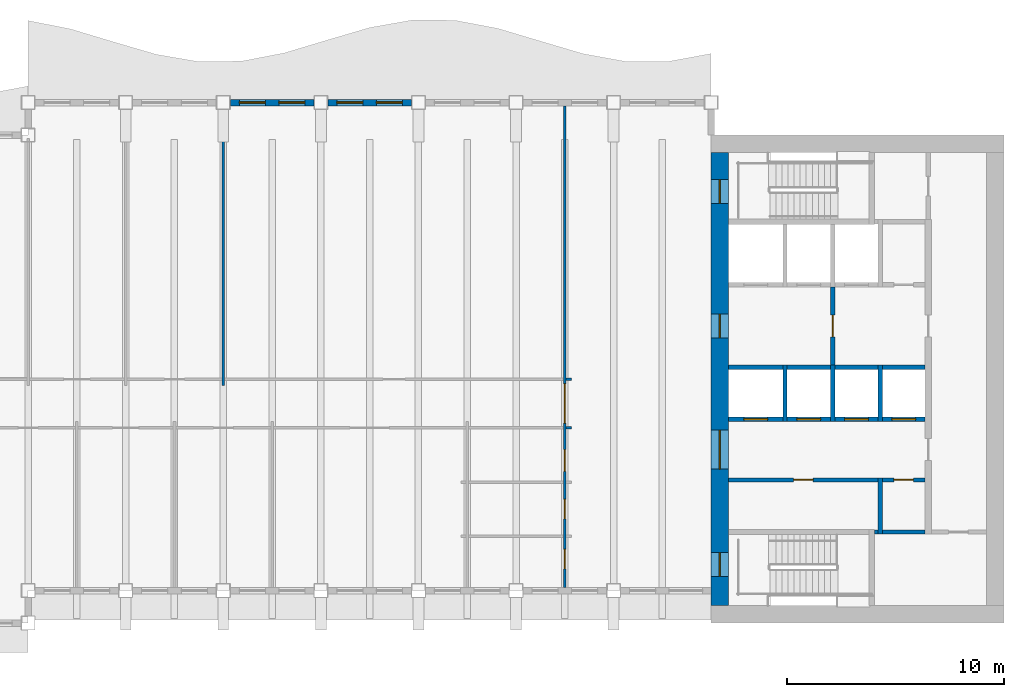
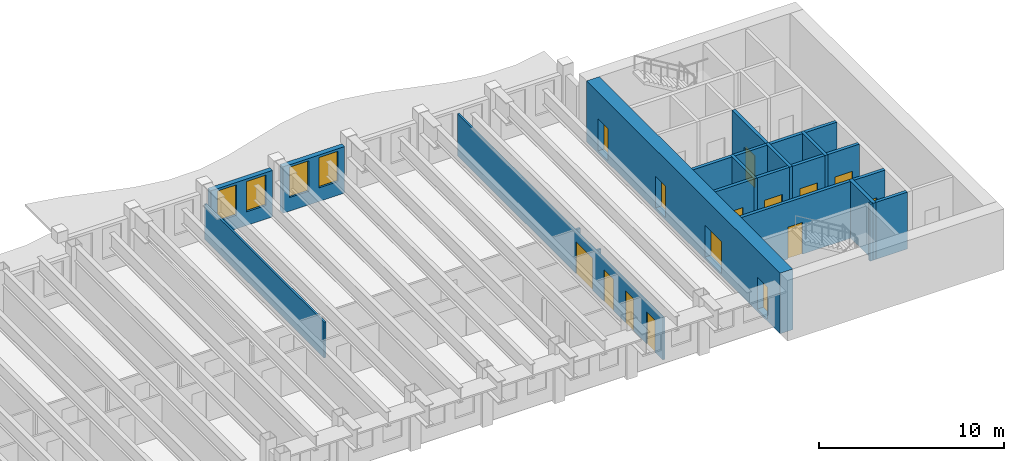
# One storey, part 5 of 12: 24 walls, 15 doors, 4 windows, 19 openings.
"""IFC4 building model written with IfcOpenShell, lengths in metres."""

import ifcopenshell
import ifcopenshell.guid

model = None  # the IFC model being written
_history = None  # IfcOwnerHistory: only IFC2X3 demands one
_inside = {}  # id of a spatial element -> (the spatial element, [elements in it])
_under = {}  # id of a project, library or spatial element -> (it, [spatial elements below it])
_declared = {}  # id of a project -> (the project, [libraries it declares])
_typed = {}  # id of a type object -> (the type object, [elements of that type])
_made_of = {}  # id of a material, layer set ... -> (it, [elements and type objects made of it])


def new_model(schema):
    """Start an empty IFC model of exactly this schema.

    Asked for "IFC4X3", IfcOpenShell would pick the latest addendum, in which some entities
    have other attributes; the version numbers below select the first issue.
    IFC2X3 requires an IfcOwnerHistory on every rooted entity: one is made here for all.
    """
    global model, _history
    if schema == "IFC4X3":
        model = ifcopenshell.file(schema_version=(4, 3, 0, 0))
    else:
        model = ifcopenshell.file(schema=schema)
    _inside.clear()
    _under.clear()
    _declared.clear()
    _typed.clear()
    _made_of.clear()
    _history = None
    if model.schema == "IFC2X3":
        org = make("IfcOrganization", Name="unknown")
        user = make(
            "IfcPersonAndOrganization",
            ThePerson=make("IfcPerson", FamilyName="unknown"),
            TheOrganization=org,
        )
        app = make(
            "IfcApplication",
            ApplicationDeveloper=org,
            Version="unknown",
            ApplicationFullName="unknown",
            ApplicationIdentifier="unknown",
        )
        _history = make(
            "IfcOwnerHistory",
            OwningUser=user,
            OwningApplication=app,
            ChangeAction="ADDED",
            CreationDate=0,
        )
    return model


def make(cls, **values):
    """One entity of the class cls with the attributes given. An attribute that is None is left unset."""
    return model.create_entity(
        cls, **{name: value for name, value in values.items() if value is not None}
    )


def rooted(cls, **values):
    """An entity with a GlobalId (a new one), such as an element, a storey or a relation."""
    return make(cls, GlobalId=ifcopenshell.guid.new(), OwnerHistory=_history, **values)


def si_unit(unit_type, name, prefix=None):
    """IfcSIUnit, for example si_unit("LENGTHUNIT", "METRE", prefix="MILLI")."""
    return make("IfcSIUnit", UnitType=unit_type, Prefix=prefix, Name=name)


def assignment(units):
    """IfcUnitAssignment: the units of a project."""
    return None if units is None else make("IfcUnitAssignment", Units=units)


def point(xyz):
    """IfcCartesianPoint."""
    return None if xyz is None else make("IfcCartesianPoint", Coordinates=xyz)


def direction(xyz):
    """IfcDirection."""
    return None if xyz is None else make("IfcDirection", DirectionRatios=xyz)


def frame(location, z_axis=None, x_axis=None):
    """IfcAxis2Placement3D, a coordinate frame: its origin and axes. An axis left out is left unset."""
    return make(
        "IfcAxis2Placement3D",
        Location=point(location),
        Axis=direction(z_axis),
        RefDirection=direction(x_axis),
    )


def frame_2d(location, x_axis=None):
    """IfcAxis2Placement2D, a coordinate frame in the plane: its origin and x axis."""
    return make(
        "IfcAxis2Placement2D", Location=point(location), RefDirection=direction(x_axis)
    )


def origin():
    """The frame at (0, 0, 0) with its axes left unset."""
    return frame((0.0, 0.0, 0.0))


def place(relative_to, where):
    """IfcLocalPlacement: puts the frame where relative to a parent placement (None: the world)."""
    return make(
        "IfcLocalPlacement", PlacementRelTo=relative_to, RelativePlacement=where
    )


def context(
    kind, dimensions, precision=None, world=None, true_north=None, identifier=None
):
    """IfcGeometricRepresentationContext, for example the 3D "Model" context."""
    return make(
        "IfcGeometricRepresentationContext",
        ContextIdentifier=identifier,
        ContextType=kind,
        CoordinateSpaceDimension=dimensions,
        Precision=precision,
        WorldCoordinateSystem=world,
        TrueNorth=true_north,
    )


def subcontext(parent, identifier, kind, view, scale=None):
    """IfcGeometricRepresentationSubContext, for example "Body" below "Model"."""
    return make(
        "IfcGeometricRepresentationSubContext",
        ContextIdentifier=identifier,
        ContextType=kind,
        ParentContext=parent,
        TargetScale=scale,
        TargetView=view,
    )


def project(units=None, contexts=None):
    """IfcProject with its units and contexts."""
    return rooted(
        "IfcProject",
        Name="project",
        RepresentationContexts=contexts,
        UnitsInContext=assignment(units),
    )


def spatial(cls, under=None, at=None, **own):
    """A site, building, storey or space (cls), placed at a placement, below another one or the project."""
    s = rooted(cls, ObjectPlacement=at, **own)
    if under is not None:
        _under.setdefault(under.id(), (under, []))[1].append(s)
    return s


def profile(cls, at=None, kind="AREA", **sizes):
    """A parametric profile (cls). Its sizes go by their IFC names, for example OverallWidth=200.0."""
    return make(cls, ProfileType=kind, Position=at, **sizes)


def rectangle(**sizes):
    """IfcRectangleProfileDef."""
    return profile("IfcRectangleProfileDef", **sizes)


def extrude(swept, where, along, depth):
    """IfcExtrudedAreaSolid: the profile swept, set in the frame where, extruded along a direction by depth."""
    return make(
        "IfcExtrudedAreaSolid",
        SweptArea=swept,
        Position=where,
        ExtrudedDirection=direction(along),
        Depth=depth,
    )


def shape(context_of_items, identifier, shape_type, items):
    """IfcShapeRepresentation: the items that make up one representation, for example the "Body"."""
    return make(
        "IfcShapeRepresentation",
        ContextOfItems=context_of_items,
        RepresentationIdentifier=identifier,
        RepresentationType=shape_type,
        Items=items,
    )


def material(Name=None, Category=None):
    """IfcMaterial."""
    return make("IfcMaterial", Name=Name, Category=Category)


def layer(
    of_material, thickness, ventilated=None, Name=None, Category=None, Priority=None
):
    """IfcMaterialLayer: one layer of a wall or slab, of a material (None: an air gap)."""
    return make(
        "IfcMaterialLayer",
        Material=of_material,
        LayerThickness=thickness,
        IsVentilated=ventilated,
        Name=Name,
        Category=Category,
        Priority=Priority,
    )


def layer_set(layers, Name=None):
    """IfcMaterialLayerSet."""
    return make("IfcMaterialLayerSet", MaterialLayers=layers, LayerSetName=Name)


def made_of(thing, what):
    """Note that an element or type object is made of a material, layer set ...; save() writes the relation."""
    if what is not None:
        _made_of.setdefault(what.id(), (what, []))[1].append(thing)
    return thing


def type_object(cls, material=None, **own):
    """A type object (cls), such as IfcWallType, which elements share."""
    return made_of(rooted(cls, **own), material)


def element(
    cls,
    number,
    at=None,
    inside=None,
    cuts=None,
    type_object=None,
    material=None,
    context=None,
    identifier="Body",
    shape_type=None,
    held_by="IfcProductDefinitionShape",
    body=None,
    shapes=None,
    **own,
):
    """One element of the class cls, such as IfcWall. Its Tag is "e" and its number.

    at: its placement. inside: the storey or other place that contains it. cuts: it is an
    opening in that element (IfcRelVoidsElement). A single representation is given by context,
    identifier, shape_type and body (its items); several are given by shapes. held_by: the class
    of the entity that holds the representations. save() writes the other relations.
    """
    e = rooted(cls, Tag="e%d" % number, ObjectPlacement=at, **own)
    if body is not None:
        shapes = [shape(context, identifier, shape_type, body)]
    if shapes is not None:
        e.Representation = make(held_by, Representations=shapes)
    if inside is not None:
        _inside.setdefault(inside.id(), (inside, []))[1].append(e)
    if cuts is not None:
        rooted(
            "IfcRelVoidsElement", RelatingBuildingElement=cuts, RelatedOpeningElement=e
        )
    if type_object is not None:
        _typed.setdefault(type_object.id(), (type_object, []))[1].append(e)
    return made_of(e, material)


def fill(opening, filler):
    """IfcRelFillsElement: the door or window that sits in an opening."""
    return rooted(
        "IfcRelFillsElement",
        RelatingOpeningElement=opening,
        RelatedBuildingElement=filler,
    )


def aggregate(whole, parts):
    """IfcRelAggregates: a whole, such as a stair, and the parts it consists of."""
    return rooted("IfcRelAggregates", RelatingObject=whole, RelatedObjects=parts)


def save(model, path):
    """Write the relations noted so far, then the file.

    IfcRelAggregates (storeys below a building ...), IfcRelContainedInSpatialStructure (elements
    in a storey), IfcRelDefinesByType, IfcRelAssociatesMaterial and IfcRelDeclares: one each for
    every whole, place, type object, material and project.
    """
    for whole, parts in _under.values():
        aggregate(whole, parts)
    for where, things in _inside.values():
        rooted(
            "IfcRelContainedInSpatialStructure",
            RelatedElements=things,
            RelatingStructure=where,
        )
    for kind, things in _typed.values():
        rooted("IfcRelDefinesByType", RelatedObjects=things, RelatingType=kind)
    for what, things in _made_of.values():
        rooted("IfcRelAssociatesMaterial", RelatedObjects=things, RelatingMaterial=what)
    for by, libraries in _declared.values():
        rooted("IfcRelDeclares", RelatingContext=by, RelatedDefinitions=libraries)
    model.write(path)


model = new_model("IFC4")

# Units and contexts
model_context = context("Model", 3, precision=1e-05, world=origin(), true_north=direction((0.0, 1.0)))
body_context = subcontext(model_context, "Body", "Model", "MODEL_VIEW")
ifc_project = project(units=[si_unit("LENGTHUNIT", "METRE"), si_unit("AREAUNIT", "SQUARE_METRE"), si_unit("VOLUMEUNIT", "CUBIC_METRE"), si_unit("PLANEANGLEUNIT", "RADIAN"), si_unit("MASSUNIT", "GRAM", prefix="KILO")], contexts=[model_context])

# Site, building, storey
site_placement = place(None, origin())
site = spatial("IfcSite", under=ifc_project, at=site_placement, CompositionType="ELEMENT")
building_placement = place(site_placement, origin())
building = spatial("IfcBuilding", under=site, at=building_placement, Name="Sennacour Bend Tower", CompositionType="ELEMENT")
storey_placement = place(building_placement, frame((0.0, 0.0, 293.0)))
storey = spatial("IfcBuildingStorey", under=building, at=storey_placement, Name="L68", CompositionType="ELEMENT", Elevation=293.0)

# Wall, openings, doors
ifc_material_1 = material(Name="Concrete C50/60", Category="concrete")
ifc_layer_1 = layer(ifc_material_1, 0.800048828125, Name="Concrete C50/60", Category="concrete")
ifc_layer_set_1 = layer_set([ifc_layer_1], Name="Concrete C50/60")
wall_type_1 = type_object("IfcWallType", Name="Core wall 800 C50/60", PredefinedType="SHEAR", material=ifc_layer_set_1)
wall_1_placement = place(storey_placement, frame((54.39990234375, 0.800048828125, -0.14990234375), z_axis=(0.0, 0.0, 1.0), x_axis=(0.0, 1.0, 0.0)))
wall_1 = element("IfcWall", 1, at=wall_1_placement, inside=storey, type_object=wall_type_1, Name="Core A wall L68 W", PredefinedType="SHEAR", context=body_context, shape_type="SweptSolid", body=[
    extrude(rectangle(XDim=20.89990234375, YDim=0.800048828125, at=frame_2d((10.449951171875, 0.0))), origin(), (0.0, 0.0, 1.0), 4.0),
])
opening_1_placement = place(wall_1_placement, frame((6.300048828125, 0.0, 0.14990234375)))
opening_1 = element("IfcOpeningElement", 2, at=opening_1_placement, cuts=wall_1, Name="Opening CD", PredefinedType="OPENING", context=body_context, shape_type="SweptSolid", body=[
    extrude(rectangle(XDim=1.800048828125, YDim=2.10009765625, at=frame_2d((0.89990234375, 1.050048828125))), frame((0.0, 0.41015625, 0.0), z_axis=(0.0, -1.0, 0.0), x_axis=(1.0, 0.0, 0.0)), (0.0, 0.0, 1.0), 0.820068359375),
])
opening_2_placement = place(wall_1_placement, frame((12.35009765625, 0.0, 0.14990234375)))
opening_2 = element("IfcOpeningElement", 3, at=opening_2_placement, cuts=wall_1, Name="Opening FD", PredefinedType="OPENING", context=body_context, shape_type="SweptSolid", body=[
    extrude(rectangle(XDim=1.10009765625, YDim=2.10009765625, at=frame_2d((0.550048828125, 1.050048828125))), frame((0.0, 0.41015625, 0.0), z_axis=(0.0, -1.0, 0.0), x_axis=(1.0, 0.0, 0.0)), (0.0, 0.0, 1.0), 0.820068359375),
])
opening_3_placement = place(wall_1_placement, frame((1.35009765625, 0.0, 0.14990234375)))
opening_3 = element("IfcOpeningElement", 4, at=opening_3_placement, cuts=wall_1, Name="Opening SD", PredefinedType="OPENING", context=body_context, shape_type="SweptSolid", body=[
    extrude(rectangle(XDim=1.10009765625, YDim=2.10009765625, at=frame_2d((0.550048828125, 1.050048828125))), frame((0.0, 0.41015625, 0.0), z_axis=(0.0, -1.0, 0.0), x_axis=(1.0, 0.0, 0.0)), (0.0, 0.0, 1.0), 0.820068359375),
])
opening_4_placement = place(wall_1_placement, frame((18.550048828125, 0.0, 0.14990234375)))
opening_4 = element("IfcOpeningElement", 5, at=opening_4_placement, cuts=wall_1, Name="Opening SD", PredefinedType="OPENING", context=body_context, shape_type="SweptSolid", body=[
    extrude(rectangle(XDim=1.10009765625, YDim=2.10009765625, at=frame_2d((0.550048828125, 1.050048828125))), frame((0.0, 0.41015625, 0.0), z_axis=(0.0, -1.0, 0.0), x_axis=(1.0, 0.0, 0.0)), (0.0, 0.0, 1.0), 0.820068359375),
])
ifc_material_2 = material(Name="Painted steel", Category="steel")
door_type_1 = type_object("IfcDoorType", Name="DR-FFL-1100", OperationType="NOTDEFINED", PredefinedType="DOOR", material=ifc_material_2)
door_1_placement = place(opening_2_placement, origin())
door_1 = element("IfcDoor", 6, at=door_1_placement, inside=storey, type_object=door_type_1, Name="Door", OperationType="SINGLE_SWING_RIGHT", OverallHeight=2.10009765625, OverallWidth=1.10009765625, PredefinedType="DOOR", context=body_context, shape_type="SweptSolid", body=[
    extrude(rectangle(XDim=1.10009765625, YDim=2.10009765625, at=frame_2d((0.550048828125, 1.050048828125))), frame((0.0, 0.02490234375, 0.0), z_axis=(0.0, -1.0, 0.0), x_axis=(1.0, 0.0, 0.0)), (0.0, 0.0, 1.0), 0.050048828125),
])
fill(opening_2, door_1)
door_type_2 = type_object("IfcDoorType", Name="DR-LOBBY-1800", OperationType="NOTDEFINED", PredefinedType="DOOR", material=ifc_material_2)
door_2_placement = place(opening_1_placement, origin())
door_2 = element("IfcDoor", 7, at=door_2_placement, inside=storey, type_object=door_type_2, Name="Door", OperationType="DOUBLE_DOOR_SINGLE_SWING", OverallHeight=2.10009765625, OverallWidth=1.800048828125, PredefinedType="DOOR", context=body_context, shape_type="SweptSolid", body=[
    extrude(rectangle(XDim=1.800048828125, YDim=2.10009765625, at=frame_2d((0.89990234375, 1.050048828125))), frame((0.0, 0.02490234375, 0.0), z_axis=(0.0, -1.0, 0.0), x_axis=(1.0, 0.0, 0.0)), (0.0, 0.0, 1.0), 0.050048828125),
])
fill(opening_1, door_2)
door_type_3 = type_object("IfcDoorType", Name="DR-STAIR-1100", OperationType="NOTDEFINED", PredefinedType="DOOR", material=ifc_material_2)
door_3_placement = place(opening_3_placement, origin())
door_3 = element("IfcDoor", 8, at=door_3_placement, inside=storey, type_object=door_type_3, Name="Door", OperationType="SINGLE_SWING_LEFT", OverallHeight=2.10009765625, OverallWidth=1.10009765625, PredefinedType="DOOR", context=body_context, shape_type="SweptSolid", body=[
    extrude(rectangle(XDim=1.10009765625, YDim=2.10009765625, at=frame_2d((0.550048828125, 1.050048828125))), frame((0.0, 0.02490234375, 0.0), z_axis=(0.0, -1.0, 0.0), x_axis=(1.0, 0.0, 0.0)), (0.0, 0.0, 1.0), 0.050048828125),
])
fill(opening_3, door_3)
door_4_placement = place(opening_4_placement, origin())
door_4 = element("IfcDoor", 9, at=door_4_placement, inside=storey, type_object=door_type_3, Name="Door", OperationType="SINGLE_SWING_RIGHT", OverallHeight=2.10009765625, OverallWidth=1.10009765625, PredefinedType="DOOR", context=body_context, shape_type="SweptSolid", body=[
    extrude(rectangle(XDim=1.10009765625, YDim=2.10009765625, at=frame_2d((0.550048828125, 1.050048828125))), frame((0.0, 0.02490234375, 0.0), z_axis=(0.0, -1.0, 0.0), x_axis=(1.0, 0.0, 0.0)), (0.0, 0.0, 1.0), 0.050048828125),
])
fill(opening_4, door_4)

# Walls
ifc_material_3 = material(Name="Plasterboard partition on steel studs", Category="steel")
ifc_layer_2 = layer(ifc_material_3, 0.1201171875, Name="Plasterboard partition on steel studs", Category="steel")
ifc_layer_set_2 = layer_set([ifc_layer_2], Name="Plasterboard partition on steel studs")
wall_type_2 = type_object("IfcWallType", Name="Partition 120", PredefinedType="PARTITIONING", material=ifc_layer_set_2)
wall_2_placement = place(storey_placement, frame((31.5, 10.949951171875, 0.0), z_axis=(0.0, 0.0, 1.0), x_axis=(0.0, 1.0, 0.0)))
element("IfcWall", 10, at=wall_2_placement, inside=storey, type_object=wall_type_2, Name="P-L68-W013a", PredefinedType="PARTITIONING", context=body_context, shape_type="SweptSolid", body=[
    extrude(rectangle(XDim=12.900146484375, YDim=0.1201171875, at=frame_2d((6.4501953125, 0.0))), origin(), (0.0, 0.0, 1.0), 2.35009765625),
])
for number, where, z_axis, x_axis, name in (
    (11, (47.31005859375, 9.0, 0.0), (0.0, 0.0, 1.0), (1.0, 0.0, 0.0), "P-L68-W041ai"),
    (12, (47.31005859375, 11.25, 0.0), (0.0, 0.0, 1.0), (1.0, 0.0, 0.0), "P-L68-W043ag"),
):
    element("IfcWall", number, at=place(storey_placement, frame(where, z_axis=z_axis, x_axis=x_axis)), inside=storey, type_object=wall_type_2, Name=name, PredefinedType="PARTITIONING", context=body_context, shape_type="SweptSolid", body=[
        extrude(rectangle(XDim=0.239990234375, YDim=0.1201171875, at=frame_2d((0.1201171875, 0.0))), origin(), (0.0, 0.0, 1.0), 2.77001953125),
    ])

# Wall, openings, doors
ifc_layer_3 = layer(ifc_material_3, 0.1201171875, Name="Plasterboard partition on steel studs", Category="steel")
ifc_layer_set_3 = layer_set([ifc_layer_3], Name="Plasterboard partition on steel studs")
wall_type_3 = type_object("IfcWallType", Name="Partition 120 EI 30", PredefinedType="PARTITIONING", material=ifc_layer_set_3)
wall_3_placement = place(storey_placement, frame((47.25, 1.64990234375, 0.0), z_axis=(0.0, 0.0, 1.0), x_axis=(0.0, 1.0, 0.0)))
wall_3 = element("IfcWall", 13, at=wall_3_placement, inside=storey, type_object=wall_type_3, Name="P-L68-W016a", PredefinedType="PARTITIONING", context=body_context, shape_type="SweptSolid", body=[
    extrude(rectangle(XDim=22.2001953125, YDim=0.1201171875, at=frame_2d((11.10009765625, 0.0))), origin(), (0.0, 0.0, 1.0), 2.77001953125),
])
opening_5_placement = place(wall_3_placement, frame((7.5751953125, 0.0, 0.0)))
opening_5 = element("IfcOpeningElement", 14, at=opening_5_placement, cuts=wall_3, Name="Opening KD3", PredefinedType="OPENING", context=body_context, shape_type="SweptSolid", body=[
    extrude(rectangle(XDim=1.800048828125, YDim=2.10009765625, at=frame_2d((0.89990234375, 1.050048828125))), frame((0.0, 0.070068359375, 0.0), z_axis=(0.0, -1.0, 0.0), x_axis=(1.0, 0.0, 0.0)), (0.0, 0.0, 1.0), 0.14013671875),
])
opening_6_placement = place(wall_3_placement, frame((0.85009765625, 0.0, 0.0)))
opening_6 = element("IfcOpeningElement", 15, at=opening_6_placement, cuts=wall_3, Name="Opening WD", PredefinedType="OPENING", context=body_context, shape_type="SweptSolid", body=[
    extrude(rectangle(XDim=0.89990234375, YDim=2.10009765625, at=frame_2d((0.449951171875, 1.050048828125))), frame((0.0, 0.070068359375, 0.0), z_axis=(0.0, -1.0, 0.0), x_axis=(1.0, 0.0, 0.0)), (0.0, 0.0, 1.0), 0.14013671875),
])
opening_7_placement = place(wall_3_placement, frame((3.150146484375, 0.0, 0.0)))
opening_7 = element("IfcOpeningElement", 16, at=opening_7_placement, cuts=wall_3, Name="Opening WD", PredefinedType="OPENING", context=body_context, shape_type="SweptSolid", body=[
    extrude(rectangle(XDim=0.89990234375, YDim=2.10009765625, at=frame_2d((0.449951171875, 1.050048828125))), frame((0.0, 0.070068359375, 0.0), z_axis=(0.0, -1.0, 0.0), x_axis=(1.0, 0.0, 0.0)), (0.0, 0.0, 1.0), 0.14013671875),
])
opening_8_placement = place(wall_3_placement, frame((5.35009765625, 0.0, 0.0)))
opening_8 = element("IfcOpeningElement", 17, at=opening_8_placement, cuts=wall_3, Name="Opening AD", PredefinedType="OPENING", context=body_context, shape_type="SweptSolid", body=[
    extrude(rectangle(XDim=1.0, YDim=2.10009765625, at=frame_2d((0.5, 1.050048828125))), frame((0.0, 0.070068359375, 0.0), z_axis=(0.0, -1.0, 0.0), x_axis=(1.0, 0.0, 0.0)), (0.0, 0.0, 1.0), 0.14013671875),
])
ifc_material_4 = material(Name="Timber", Category="wood")
door_type_4 = type_object("IfcDoorType", Name="DR-ACC-WC-1000", OperationType="NOTDEFINED", PredefinedType="DOOR", material=ifc_material_4)
door_5_placement = place(opening_8_placement, origin())
door_5 = element("IfcDoor", 18, at=door_5_placement, inside=storey, type_object=door_type_4, Name="Door", OperationType="SINGLE_SWING_LEFT", OverallHeight=2.10009765625, OverallWidth=1.0, PredefinedType="DOOR", context=body_context, shape_type="SweptSolid", body=[
    extrude(rectangle(XDim=1.0, YDim=2.10009765625, at=frame_2d((0.5, 1.050048828125))), frame((0.0, 0.02490234375, 0.0), z_axis=(0.0, -1.0, 0.0), x_axis=(1.0, 0.0, 0.0)), (0.0, 0.0, 1.0), 0.050048828125),
])
fill(opening_8, door_5)
door_type_5 = type_object("IfcDoorType", Name="DR-CORRIDOR-1800", OperationType="NOTDEFINED", PredefinedType="DOOR", material=ifc_material_2)
door_6_placement = place(opening_5_placement, origin())
door_6 = element("IfcDoor", 19, at=door_6_placement, inside=storey, type_object=door_type_5, Name="Door", OperationType="DOUBLE_DOOR_SINGLE_SWING", OverallHeight=2.10009765625, OverallWidth=1.800048828125, PredefinedType="DOOR", context=body_context, shape_type="SweptSolid", body=[
    extrude(rectangle(XDim=1.800048828125, YDim=2.10009765625, at=frame_2d((0.89990234375, 1.050048828125))), frame((0.0, 0.02490234375, 0.0), z_axis=(0.0, -1.0, 0.0), x_axis=(1.0, 0.0, 0.0)), (0.0, 0.0, 1.0), 0.050048828125),
])
fill(opening_5, door_6)
door_type_6 = type_object("IfcDoorType", Name="DR-WC-900", OperationType="NOTDEFINED", PredefinedType="DOOR", material=ifc_material_4)
door_7_placement = place(opening_6_placement, origin())
door_7 = element("IfcDoor", 20, at=door_7_placement, inside=storey, type_object=door_type_6, Name="Door", OperationType="SINGLE_SWING_LEFT", OverallHeight=2.10009765625, OverallWidth=0.89990234375, PredefinedType="DOOR", context=body_context, shape_type="SweptSolid", body=[
    extrude(rectangle(XDim=0.89990234375, YDim=2.10009765625, at=frame_2d((0.449951171875, 1.050048828125))), frame((0.0, 0.02490234375, 0.0), z_axis=(0.0, -1.0, 0.0), x_axis=(1.0, 0.0, 0.0)), (0.0, 0.0, 1.0), 0.050048828125),
])
fill(opening_6, door_7)
door_8_placement = place(opening_7_placement, origin())
door_8 = element("IfcDoor", 21, at=door_8_placement, inside=storey, type_object=door_type_6, Name="Door", OperationType="SINGLE_SWING_LEFT", OverallHeight=2.10009765625, OverallWidth=0.89990234375, PredefinedType="DOOR", context=body_context, shape_type="SweptSolid", body=[
    extrude(rectangle(XDim=0.89990234375, YDim=2.10009765625, at=frame_2d((0.449951171875, 1.050048828125))), frame((0.0, 0.02490234375, 0.0), z_axis=(0.0, -1.0, 0.0), x_axis=(1.0, 0.0, 0.0)), (0.0, 0.0, 1.0), 0.050048828125),
])
fill(opening_7, door_8)

# Walls
ifc_material_5 = material(Name="Fire-rated plasterboard partition on steel studs", Category="steel")
ifc_layer_4 = layer(ifc_material_5, 0.199951171875, Name="Fire-rated plasterboard partition on steel studs", Category="steel")
ifc_layer_set_4 = layer_set([ifc_layer_4], Name="Fire-rated plasterboard partition on steel studs")
wall_type_4 = type_object("IfcWallType", Name="Rated partition 200", PredefinedType="PARTITIONING", material=ifc_layer_set_4)
wall_4_placement = place(storey_placement, frame((61.800048828125, 4.10009765625, 0.0), z_axis=(0.0, 0.0, 1.0), x_axis=(0.0, 1.0, 0.0)))
element("IfcWall", 22, at=wall_4_placement, inside=storey, type_object=wall_type_4, Name="P-L68-W025", PredefinedType="PARTITIONING", context=body_context, shape_type="SweptSolid", body=[
    extrude(rectangle(XDim=2.599853515625, YDim=0.199951171875, at=frame_2d((1.2998046875, 0.0))), origin(), (0.0, 0.0, 1.0), 3.75),
])
wall_5_placement = place(storey_placement, frame((61.52490234375, 4.199951171875, 0.0), z_axis=(0.0, 0.0, 1.0), x_axis=(1.0, 0.0, 0.0)))
element("IfcWall", 23, at=wall_5_placement, inside=storey, type_object=wall_type_4, Name="P-L68-W038a", PredefinedType="PARTITIONING", context=body_context, shape_type="SweptSolid", body=[
    extrude(rectangle(XDim=0.175048828125, YDim=0.199951171875, at=frame_2d((0.08740234375, 0.0))), origin(), (0.0, 0.0, 1.0), 3.75),
])
wall_6_placement = place(storey_placement, frame((61.89990234375, 4.199951171875, 0.0), z_axis=(0.0, 0.0, 1.0), x_axis=(1.0, 0.0, 0.0)))
element("IfcWall", 24, at=wall_6_placement, inside=storey, type_object=wall_type_4, Name="P-L68-W038b", PredefinedType="PARTITIONING", context=body_context, shape_type="SweptSolid", body=[
    extrude(rectangle(XDim=1.9501953125, YDim=0.199951171875, at=frame_2d((0.97509765625, 0.0))), origin(), (0.0, 0.0, 1.0), 3.75),
])

# Wall, opening, door
wall_7_placement = place(storey_placement, frame((54.800048828125, 6.60009765625, 0.0), z_axis=(0.0, 0.0, 1.0), x_axis=(1.0, 0.0, 0.0)))
wall_7 = element("IfcWall", 25, at=wall_7_placement, inside=storey, type_object=wall_type_4, Name="P-L68-W040a", PredefinedType="PARTITIONING", context=body_context, shape_type="SweptSolid", body=[
    extrude(rectangle(XDim=6.89990234375, YDim=0.199951171875, at=frame_2d((3.449951171875, 0.0))), origin(), (0.0, 0.0, 1.0), 3.75),
])
opening_9_placement = place(wall_7_placement, frame((3.0, 0.0, 0.0)))
opening_9 = element("IfcOpeningElement", 26, at=opening_9_placement, cuts=wall_7, Name="Opening SV", PredefinedType="OPENING", context=body_context, shape_type="SweptSolid", body=[
    extrude(rectangle(XDim=0.89990234375, YDim=2.10009765625, at=frame_2d((0.449951171875, 1.050048828125))), frame((0.0, 0.10986328125, 0.0), z_axis=(0.0, -1.0, 0.0), x_axis=(1.0, 0.0, 0.0)), (0.0, 0.0, 1.0), 0.219970703125),
])
door_type_7 = type_object("IfcDoorType", Name="DR-SERVICE-900", OperationType="NOTDEFINED", PredefinedType="DOOR", material=ifc_material_2)
door_9_placement = place(opening_9_placement, origin())
door_9 = element("IfcDoor", 27, at=door_9_placement, inside=storey, type_object=door_type_7, Name="Door", OperationType="SINGLE_SWING_LEFT", OverallHeight=2.10009765625, OverallWidth=0.89990234375, PredefinedType="DOOR", context=body_context, shape_type="SweptSolid", body=[
    extrude(rectangle(XDim=0.89990234375, YDim=2.10009765625, at=frame_2d((0.449951171875, 1.050048828125))), frame((0.0, 0.02490234375, 0.0), z_axis=(0.0, -1.0, 0.0), x_axis=(1.0, 0.0, 0.0)), (0.0, 0.0, 1.0), 0.050048828125),
])
fill(opening_9, door_9)

wall_8_placement = place(storey_placement, frame((61.89990234375, 6.60009765625, 0.0), z_axis=(0.0, 0.0, 1.0), x_axis=(1.0, 0.0, 0.0)))
wall_8 = element("IfcWall", 28, at=wall_8_placement, inside=storey, type_object=wall_type_4, Name="P-L68-W040b", PredefinedType="PARTITIONING", context=body_context, shape_type="SweptSolid", body=[
    extrude(rectangle(XDim=1.9501953125, YDim=0.199951171875, at=frame_2d((0.97509765625, 0.0))), origin(), (0.0, 0.0, 1.0), 3.75),
])
opening_10_placement = place(wall_8_placement, frame((0.525146484375, 0.0, 0.0)))
opening_10 = element("IfcOpeningElement", 29, at=opening_10_placement, cuts=wall_8, Name="Opening SV", PredefinedType="OPENING", context=body_context, shape_type="SweptSolid", body=[
    extrude(rectangle(XDim=0.89990234375, YDim=2.10009765625, at=frame_2d((0.449951171875, 1.050048828125))), frame((0.0, 0.10986328125, 0.0), z_axis=(0.0, -1.0, 0.0), x_axis=(1.0, 0.0, 0.0)), (0.0, 0.0, 1.0), 0.219970703125),
])
door_10_placement = place(opening_10_placement, origin())
door_10 = element("IfcDoor", 30, at=door_10_placement, inside=storey, type_object=door_type_7, Name="Door", OperationType="SINGLE_SWING_RIGHT", OverallHeight=2.10009765625, OverallWidth=0.89990234375, PredefinedType="DOOR", context=body_context, shape_type="SweptSolid", body=[
    extrude(rectangle(XDim=0.89990234375, YDim=2.10009765625, at=frame_2d((0.449951171875, 1.050048828125))), frame((0.0, 0.02490234375, 0.0), z_axis=(0.0, -1.0, 0.0), x_axis=(1.0, 0.0, 0.0)), (0.0, 0.0, 1.0), 0.050048828125),
])
fill(opening_10, door_10)

ifc_layer_5 = layer(ifc_material_5, 0.199951171875, Name="Fire-rated plasterboard partition on steel studs", Category="steel")
ifc_layer_set_5 = layer_set([ifc_layer_5], Name="Fire-rated plasterboard partition on steel studs")
wall_type_5 = type_object("IfcWallType", Name="Rated partition 200 EI 90", PredefinedType="PARTITIONING", material=ifc_layer_set_5)
wall_9_placement = place(storey_placement, frame((59.60009765625, 11.89990234375, 0.0), z_axis=(0.0, 0.0, 1.0), x_axis=(0.0, 1.0, 0.0)))
wall_9 = element("IfcWall", 31, at=wall_9_placement, inside=storey, type_object=wall_type_5, Name="P-L68-W021", PredefinedType="PARTITIONING", context=body_context, shape_type="SweptSolid", body=[
    extrude(rectangle(XDim=3.60009765625, YDim=0.199951171875, at=frame_2d((1.800048828125, 0.0))), origin(), (0.0, 0.0, 1.0), 3.75),
])
opening_11_placement = place(wall_9_placement, frame((1.300048828125, 0.0, 0.0)))
opening_11 = element("IfcOpeningElement", 32, at=opening_11_placement, cuts=wall_9, Name="Opening FD2", PredefinedType="OPENING", context=body_context, shape_type="SweptSolid", body=[
    extrude(rectangle(XDim=1.0, YDim=2.10009765625, at=frame_2d((0.5, 1.050048828125))), frame((0.0, 0.10986328125, 0.0), z_axis=(0.0, -1.0, 0.0), x_axis=(1.0, 0.0, 0.0)), (0.0, 0.0, 1.0), 0.219970703125),
])
door_type_8 = type_object("IfcDoorType", Name="DR-FFL-1000", OperationType="NOTDEFINED", PredefinedType="DOOR", material=ifc_material_2)
door_11_placement = place(opening_11_placement, origin())
door_11 = element("IfcDoor", 33, at=door_11_placement, inside=storey, type_object=door_type_8, Name="Door", OperationType="SINGLE_SWING_LEFT", OverallHeight=2.10009765625, OverallWidth=1.0, PredefinedType="DOOR", context=body_context, shape_type="SweptSolid", body=[
    extrude(rectangle(XDim=1.0, YDim=2.10009765625, at=frame_2d((0.5, 1.050048828125))), frame((0.0, 0.02490234375, 0.0), z_axis=(0.0, -1.0, 0.0), x_axis=(1.0, 0.0, 0.0)), (0.0, 0.0, 1.0), 0.050048828125),
])
fill(opening_11, door_11)

# Wall, openings, windows
ifc_material_6 = material(Name="Warm limestone cladding", Category="masonry")
ifc_layer_6 = layer(ifc_material_6, 0.050048828125, Name="Warm limestone cladding", Category="masonry")
ifc_material_7 = material(Name="Precast concrete C40/50", Category="concrete")
ifc_layer_7 = layer(ifc_material_7, 0.25, Name="Precast concrete C40/50", Category="concrete")
ifc_layer_set_6 = layer_set([ifc_layer_6, ifc_layer_7], Name="Precast concrete C40/50 with limestone cladding")
wall_type_6 = type_object("IfcWallType", Name="STONE-CLAD PRECAST SPANDREL 300", PredefinedType="STANDARD", material=ifc_layer_set_6)
wall_10_placement = place(storey_placement, frame((40.175048828125, 24.0, 0.0), z_axis=(0.0, 0.0, 1.0), x_axis=(-1.0, 0.0, 0.0)))
wall_10 = element("IfcWall", 34, at=wall_10_placement, inside=storey, type_object=wall_type_6, Name="Stone spandrel and pier wall L68 07.03", PredefinedType="STANDARD", context=body_context, shape_type="SweptSolid", body=[
    extrude(rectangle(XDim=3.85009765625, YDim=0.300048828125, at=frame_2d((1.925048828125, 0.0))), origin(), (0.0, 0.0, 1.0), 3.06201171875),
])
opening_12_placement = place(wall_10_placement, frame((0.41259765625, 0.0, 0.89990234375)))
opening_12 = element("IfcOpeningElement", 35, at=opening_12_placement, cuts=wall_10, Name="Opening W14", PredefinedType="OPENING", context=body_context, shape_type="SweptSolid", body=[
    extrude(rectangle(XDim=1.199951171875, YDim=2.0, at=frame_2d((0.60009765625, 1.0))), frame((0.0, 0.16015625, 0.0), z_axis=(0.0, -1.0, 0.0), x_axis=(1.0, 0.0, 0.0)), (0.0, 0.0, 1.0), 0.320068359375),
])
opening_13_placement = place(wall_10_placement, frame((2.237548828125, 0.0, 0.89990234375)))
opening_13 = element("IfcOpeningElement", 36, at=opening_13_placement, cuts=wall_10, Name="Opening W14", PredefinedType="OPENING", context=body_context, shape_type="SweptSolid", body=[
    extrude(rectangle(XDim=1.199951171875, YDim=2.0, at=frame_2d((0.60009765625, 1.0))), frame((0.0, 0.16015625, 0.0), z_axis=(0.0, -1.0, 0.0), x_axis=(1.0, 0.0, 0.0)), (0.0, 0.0, 1.0), 0.320068359375),
])
ifc_material_8 = material(Name="Clear low-emissivity glass", Category="glass")
window_type = type_object("IfcWindowType", Name="WIN-RIBBON-1200x2000", PartitioningType="SINGLE_PANEL", PredefinedType="WINDOW", material=ifc_material_8)
window_1_placement = place(opening_12_placement, origin())
window_1 = element("IfcWindow", 37, at=window_1_placement, inside=storey, type_object=window_type, Name="Ribbon window L68 07.03.0", OverallHeight=2.0, OverallWidth=1.199951171875, PartitioningType="SINGLE_PANEL", PredefinedType="WINDOW", context=body_context, shape_type="SweptSolid", body=[
    extrude(rectangle(XDim=1.199951171875, YDim=2.0, at=frame_2d((0.60009765625, 1.0))), frame((0.0, 0.030029296875, 0.0), z_axis=(0.0, -1.0, 0.0), x_axis=(1.0, 0.0, 0.0)), (0.0, 0.0, 1.0), 0.06005859375),
])
fill(opening_12, window_1)
window_2_placement = place(opening_13_placement, origin())
window_2 = element("IfcWindow", 38, at=window_2_placement, inside=storey, type_object=window_type, Name="Ribbon window L68 07.03.1", OverallHeight=2.0, OverallWidth=1.199951171875, PartitioningType="SINGLE_PANEL", PredefinedType="WINDOW", context=body_context, shape_type="SweptSolid", body=[
    extrude(rectangle(XDim=1.199951171875, YDim=2.0, at=frame_2d((0.60009765625, 1.0))), frame((0.0, 0.030029296875, 0.0), z_axis=(0.0, -1.0, 0.0), x_axis=(1.0, 0.0, 0.0)), (0.0, 0.0, 1.0), 0.06005859375),
])
fill(opening_13, window_2)

wall_11_placement = place(storey_placement, frame((35.675048828125, 24.0, 0.0), z_axis=(0.0, 0.0, 1.0), x_axis=(-1.0, 0.0, 0.0)))
wall_11 = element("IfcWall", 39, at=wall_11_placement, inside=storey, type_object=wall_type_6, Name="Stone spandrel and pier wall L68 07.04", PredefinedType="STANDARD", context=body_context, shape_type="SweptSolid", body=[
    extrude(rectangle(XDim=3.85009765625, YDim=0.300048828125, at=frame_2d((1.925048828125, 0.0))), origin(), (0.0, 0.0, 1.0), 3.06201171875),
])
opening_14_placement = place(wall_11_placement, frame((0.41259765625, 0.0, 0.89990234375)))
opening_14 = element("IfcOpeningElement", 40, at=opening_14_placement, cuts=wall_11, Name="Opening W14", PredefinedType="OPENING", context=body_context, shape_type="SweptSolid", body=[
    extrude(rectangle(XDim=1.199951171875, YDim=2.0, at=frame_2d((0.60009765625, 1.0))), frame((0.0, 0.16015625, 0.0), z_axis=(0.0, -1.0, 0.0), x_axis=(1.0, 0.0, 0.0)), (0.0, 0.0, 1.0), 0.320068359375),
])
opening_15_placement = place(wall_11_placement, frame((2.237548828125, 0.0, 0.89990234375)))
opening_15 = element("IfcOpeningElement", 41, at=opening_15_placement, cuts=wall_11, Name="Opening W14", PredefinedType="OPENING", context=body_context, shape_type="SweptSolid", body=[
    extrude(rectangle(XDim=1.199951171875, YDim=2.0, at=frame_2d((0.60009765625, 1.0))), frame((0.0, 0.16015625, 0.0), z_axis=(0.0, -1.0, 0.0), x_axis=(1.0, 0.0, 0.0)), (0.0, 0.0, 1.0), 0.320068359375),
])
window_3_placement = place(opening_14_placement, origin())
window_3 = element("IfcWindow", 42, at=window_3_placement, inside=storey, type_object=window_type, Name="Ribbon window L68 07.04.0", OverallHeight=2.0, OverallWidth=1.199951171875, PartitioningType="SINGLE_PANEL", PredefinedType="WINDOW", context=body_context, shape_type="SweptSolid", body=[
    extrude(rectangle(XDim=1.199951171875, YDim=2.0, at=frame_2d((0.60009765625, 1.0))), frame((0.0, 0.030029296875, 0.0), z_axis=(0.0, -1.0, 0.0), x_axis=(1.0, 0.0, 0.0)), (0.0, 0.0, 1.0), 0.06005859375),
])
fill(opening_14, window_3)
window_4_placement = place(opening_15_placement, origin())
window_4 = element("IfcWindow", 43, at=window_4_placement, inside=storey, type_object=window_type, Name="Ribbon window L68 07.04.1", OverallHeight=2.0, OverallWidth=1.199951171875, PartitioningType="SINGLE_PANEL", PredefinedType="WINDOW", context=body_context, shape_type="SweptSolid", body=[
    extrude(rectangle(XDim=1.199951171875, YDim=2.0, at=frame_2d((0.60009765625, 1.0))), frame((0.0, 0.030029296875, 0.0), z_axis=(0.0, -1.0, 0.0), x_axis=(1.0, 0.0, 0.0)), (0.0, 0.0, 1.0), 0.06005859375),
])
fill(opening_15, window_4)

# Walls
ifc_layer_8 = layer(ifc_material_1, 0.199951171875, Name="Concrete C50/60", Category="concrete")
ifc_layer_set_7 = layer_set([ifc_layer_8], Name="Concrete C50/60")
wall_type_7 = type_object("IfcWallType", Name="Shaft wall 200", PredefinedType="SOLIDWALL", material=ifc_layer_set_7)
for number, where, z_axis, x_axis, name in (
    (44, (57.39990234375, 9.300048828125, 0.0), (0.0, 0.0, 1.0), (0.0, 1.0, 0.0), "P-L68-W018"),
    (45, (59.60009765625, 9.300048828125, 0.0), (0.0, 0.0, 1.0), (0.0, 1.0, 0.0), "P-L68-W020"),
    (46, (61.800048828125, 9.300048828125, 0.0), (0.0, 0.0, 1.0), (0.0, 1.0, 0.0), "P-L68-W026"),
):
    element("IfcWall", number, at=place(storey_placement, frame(where, z_axis=z_axis, x_axis=x_axis)), inside=storey, type_object=wall_type_7, Name=name, PredefinedType="SOLIDWALL", context=body_context, shape_type="SweptSolid", body=[
        extrude(rectangle(XDim=2.599853515625, YDim=0.199951171875, at=frame_2d((1.2998046875, 0.0))), origin(), (0.0, 0.0, 1.0), 3.75),
    ])

# Wall, opening, door
wall_12_placement = place(storey_placement, frame((54.800048828125, 9.39990234375, 0.0), z_axis=(0.0, 0.0, 1.0), x_axis=(1.0, 0.0, 0.0)))
wall_12 = element("IfcWall", 47, at=wall_12_placement, inside=storey, type_object=wall_type_7, Name="P-L68-W042a", PredefinedType="SOLIDWALL", context=body_context, shape_type="SweptSolid", body=[
    extrude(rectangle(XDim=2.5, YDim=0.199951171875, at=frame_2d((1.25, 0.0))), origin(), (0.0, 0.0, 1.0), 3.75),
])
opening_16_placement = place(wall_12_placement, frame((0.699951171875, 0.0, 0.011962890625)))
opening_16 = element("IfcOpeningElement", 48, at=opening_16_placement, cuts=wall_12, Name="Opening LD", PredefinedType="OPENING", context=body_context, shape_type="SweptSolid", body=[
    extrude(rectangle(XDim=1.10009765625, YDim=2.10009765625, at=frame_2d((0.550048828125, 1.050048828125))), frame((0.0, 0.10986328125, 0.0), z_axis=(0.0, -1.0, 0.0), x_axis=(1.0, 0.0, 0.0)), (0.0, 0.0, 1.0), 0.219970703125),
])
ifc_material_9 = material(Name="Stainless steel", Category="steel")
door_type_9 = type_object("IfcDoorType", Name="DR-LANDING-1100", OperationType="NOTDEFINED", PredefinedType="DOOR", material=ifc_material_9)
door_12_placement = place(opening_16_placement, origin())
door_12 = element("IfcDoor", 49, at=door_12_placement, inside=storey, type_object=door_type_9, Name="Lift landing door HA1", OperationType="SLIDING_TO_LEFT", OverallHeight=2.10009765625, OverallWidth=1.10009765625, PredefinedType="DOOR", context=body_context, shape_type="SweptSolid", body=[
    extrude(rectangle(XDim=1.10009765625, YDim=2.10009765625, at=frame_2d((0.550048828125, 1.050048828125))), frame((0.0, 0.02490234375, 0.0), z_axis=(0.0, -1.0, 0.0), x_axis=(1.0, 0.0, 0.0)), (0.0, 0.0, 1.0), 0.050048828125),
])
fill(opening_16, door_12)

wall_13_placement = place(storey_placement, frame((57.5, 9.39990234375, 0.0), z_axis=(0.0, 0.0, 1.0), x_axis=(1.0, 0.0, 0.0)))
wall_13 = element("IfcWall", 50, at=wall_13_placement, inside=storey, type_object=wall_type_7, Name="P-L68-W042b", PredefinedType="SOLIDWALL", context=body_context, shape_type="SweptSolid", body=[
    extrude(rectangle(XDim=2.0, YDim=0.199951171875, at=frame_2d((1.0, 0.0))), origin(), (0.0, 0.0, 1.0), 3.75),
])
opening_17_placement = place(wall_13_placement, frame((0.449951171875, 0.0, 0.011962890625)))
opening_17 = element("IfcOpeningElement", 51, at=opening_17_placement, cuts=wall_13, Name="Opening LD", PredefinedType="OPENING", context=body_context, shape_type="SweptSolid", body=[
    extrude(rectangle(XDim=1.10009765625, YDim=2.10009765625, at=frame_2d((0.550048828125, 1.050048828125))), frame((0.0, 0.10986328125, 0.0), z_axis=(0.0, -1.0, 0.0), x_axis=(1.0, 0.0, 0.0)), (0.0, 0.0, 1.0), 0.219970703125),
])
door_13_placement = place(opening_17_placement, origin())
door_13 = element("IfcDoor", 52, at=door_13_placement, inside=storey, type_object=door_type_9, Name="Lift landing door HA2", OperationType="SLIDING_TO_RIGHT", OverallHeight=2.10009765625, OverallWidth=1.10009765625, PredefinedType="DOOR", context=body_context, shape_type="SweptSolid", body=[
    extrude(rectangle(XDim=1.10009765625, YDim=2.10009765625, at=frame_2d((0.550048828125, 1.050048828125))), frame((0.0, 0.02490234375, 0.0), z_axis=(0.0, -1.0, 0.0), x_axis=(1.0, 0.0, 0.0)), (0.0, 0.0, 1.0), 0.050048828125),
])
fill(opening_17, door_13)

wall_14_placement = place(storey_placement, frame((59.699951171875, 9.39990234375, 0.0), z_axis=(0.0, 0.0, 1.0), x_axis=(1.0, 0.0, 0.0)))
wall_14 = element("IfcWall", 53, at=wall_14_placement, inside=storey, type_object=wall_type_7, Name="P-L68-W042c", PredefinedType="SOLIDWALL", context=body_context, shape_type="SweptSolid", body=[
    extrude(rectangle(XDim=2.0, YDim=0.199951171875, at=frame_2d((1.0, 0.0))), origin(), (0.0, 0.0, 1.0), 3.75),
])
opening_18_placement = place(wall_14_placement, frame((0.449951171875, 0.0, 0.011962890625)))
opening_18 = element("IfcOpeningElement", 54, at=opening_18_placement, cuts=wall_14, Name="Opening LD", PredefinedType="OPENING", context=body_context, shape_type="SweptSolid", body=[
    extrude(rectangle(XDim=1.10009765625, YDim=2.10009765625, at=frame_2d((0.550048828125, 1.050048828125))), frame((0.0, 0.10986328125, 0.0), z_axis=(0.0, -1.0, 0.0), x_axis=(1.0, 0.0, 0.0)), (0.0, 0.0, 1.0), 0.219970703125),
])
door_14_placement = place(opening_18_placement, origin())
door_14 = element("IfcDoor", 55, at=door_14_placement, inside=storey, type_object=door_type_9, Name="Lift landing door HA3", OperationType="SLIDING_TO_LEFT", OverallHeight=2.10009765625, OverallWidth=1.10009765625, PredefinedType="DOOR", context=body_context, shape_type="SweptSolid", body=[
    extrude(rectangle(XDim=1.10009765625, YDim=2.10009765625, at=frame_2d((0.550048828125, 1.050048828125))), frame((0.0, 0.02490234375, 0.0), z_axis=(0.0, -1.0, 0.0), x_axis=(1.0, 0.0, 0.0)), (0.0, 0.0, 1.0), 0.050048828125),
])
fill(opening_18, door_14)

wall_15_placement = place(storey_placement, frame((61.89990234375, 9.39990234375, 0.0), z_axis=(0.0, 0.0, 1.0), x_axis=(1.0, 0.0, 0.0)))
wall_15 = element("IfcWall", 56, at=wall_15_placement, inside=storey, type_object=wall_type_7, Name="P-L68-W042d", PredefinedType="SOLIDWALL", context=body_context, shape_type="SweptSolid", body=[
    extrude(rectangle(XDim=1.9501953125, YDim=0.199951171875, at=frame_2d((0.97509765625, 0.0))), origin(), (0.0, 0.0, 1.0), 3.75),
])
opening_19_placement = place(wall_15_placement, frame((0.425048828125, 0.0, 0.011962890625)))
opening_19 = element("IfcOpeningElement", 57, at=opening_19_placement, cuts=wall_15, Name="Opening LD", PredefinedType="OPENING", context=body_context, shape_type="SweptSolid", body=[
    extrude(rectangle(XDim=1.10009765625, YDim=2.10009765625, at=frame_2d((0.550048828125, 1.050048828125))), frame((0.0, 0.10986328125, 0.0), z_axis=(0.0, -1.0, 0.0), x_axis=(1.0, 0.0, 0.0)), (0.0, 0.0, 1.0), 0.219970703125),
])
door_15_placement = place(opening_19_placement, origin())
door_15 = element("IfcDoor", 58, at=door_15_placement, inside=storey, type_object=door_type_9, Name="Lift landing door HA4", OperationType="SLIDING_TO_RIGHT", OverallHeight=2.10009765625, OverallWidth=1.10009765625, PredefinedType="DOOR", context=body_context, shape_type="SweptSolid", body=[
    extrude(rectangle(XDim=1.10009765625, YDim=2.10009765625, at=frame_2d((0.550048828125, 1.050048828125))), frame((0.0, 0.02490234375, 0.0), z_axis=(0.0, -1.0, 0.0), x_axis=(1.0, 0.0, 0.0)), (0.0, 0.0, 1.0), 0.050048828125),
])
fill(opening_19, door_15)

# Walls
wall_16_placement = place(storey_placement, frame((54.800048828125, 11.800048828125, 0.0), z_axis=(0.0, 0.0, 1.0), x_axis=(1.0, 0.0, 0.0)))
element("IfcWall", 59, at=wall_16_placement, inside=storey, type_object=wall_type_7, Name="P-L68-W044a", PredefinedType="SOLIDWALL", context=body_context, shape_type="SweptSolid", body=[
    extrude(rectangle(XDim=2.5, YDim=0.199951171875, at=frame_2d((1.25, 0.0))), origin(), (0.0, 0.0, 1.0), 3.75),
])
for number, where, z_axis, x_axis, name in (
    (60, (57.5, 11.800048828125, 0.0), (0.0, 0.0, 1.0), (1.0, 0.0, 0.0), "P-L68-W044b"),
    (61, (59.699951171875, 11.800048828125, 0.0), (0.0, 0.0, 1.0), (1.0, 0.0, 0.0), "P-L68-W044c"),
):
    element("IfcWall", number, at=place(storey_placement, frame(where, z_axis=z_axis, x_axis=x_axis)), inside=storey, type_object=wall_type_7, Name=name, PredefinedType="SOLIDWALL", context=body_context, shape_type="SweptSolid", body=[
        extrude(rectangle(XDim=2.0, YDim=0.199951171875, at=frame_2d((1.0, 0.0))), origin(), (0.0, 0.0, 1.0), 3.75),
    ])
wall_17_placement = place(storey_placement, frame((61.89990234375, 11.800048828125, 0.0), z_axis=(0.0, 0.0, 1.0), x_axis=(1.0, 0.0, 0.0)))
element("IfcWall", 62, at=wall_17_placement, inside=storey, type_object=wall_type_7, Name="P-L68-W044d", PredefinedType="SOLIDWALL", context=body_context, shape_type="SweptSolid", body=[
    extrude(rectangle(XDim=1.9501953125, YDim=0.199951171875, at=frame_2d((0.97509765625, 0.0))), origin(), (0.0, 0.0, 1.0), 3.75),
])

save(model, "model.ifc")
